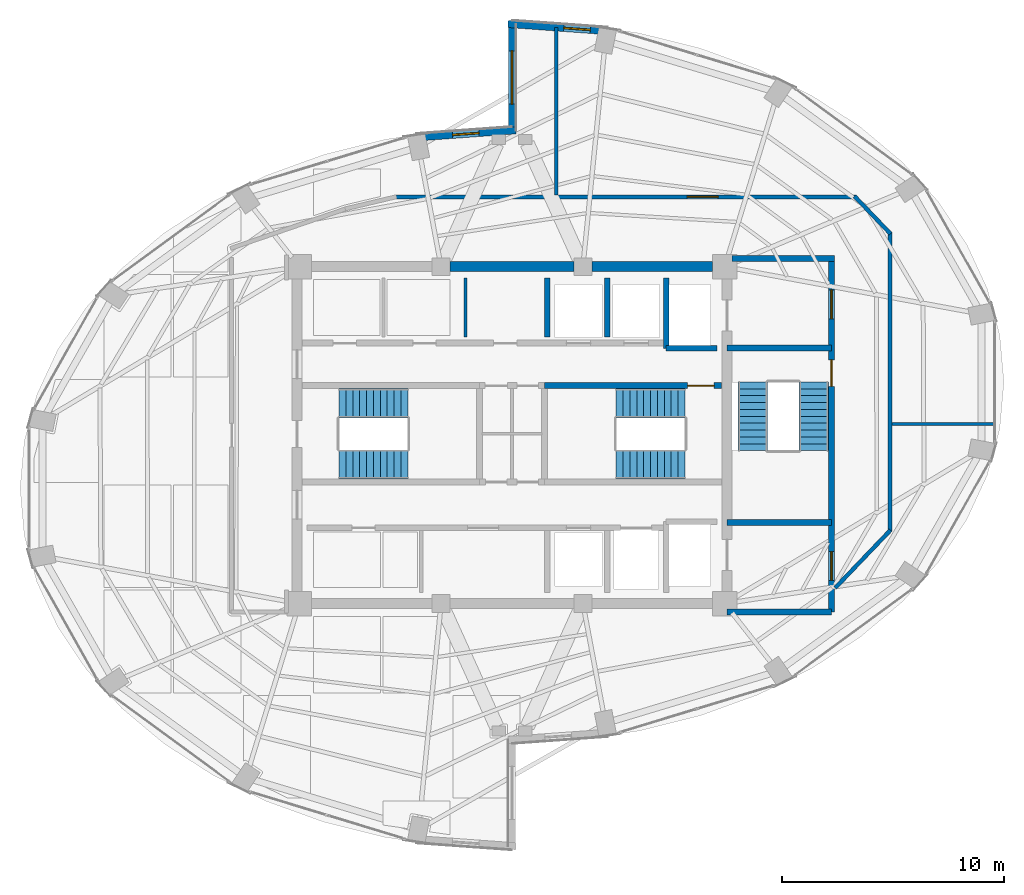
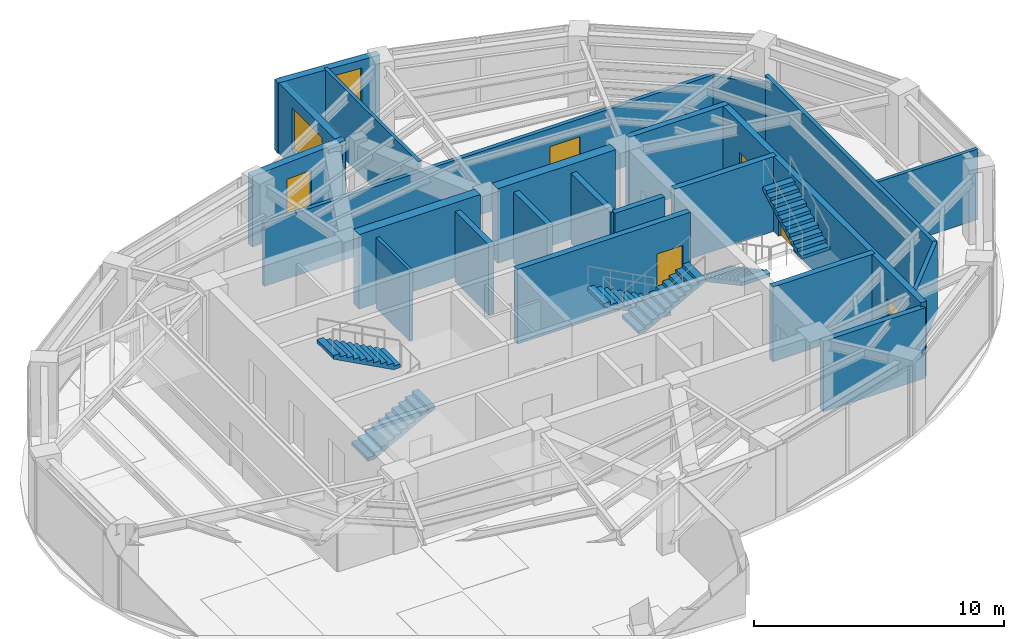
# One storey, part 20 of 22: 22 walls, 6 stair flights, 5 doors, 3 windows, 8 openings, 3 elements without a shape of their own.
"""IFC4 building model written with IfcOpenShell, lengths in metres."""

from ifc_helpers import new_model, si_unit, direction, frame, frame_2d, origin, place, context, subcontext, project, spatial, polyline, rectangle, outline, extrude, material, layer, layer_set, type_object, element, fill, aggregate, save


model = new_model("IFC4")

# Units and contexts
model_context = context("Model", 3, precision=1e-05, world=origin(), true_north=direction((0.0, 1.0)))
body_context = subcontext(model_context, "Body", "Model", "MODEL_VIEW")
ifc_project = project(units=[si_unit("LENGTHUNIT", "METRE"), si_unit("AREAUNIT", "SQUARE_METRE"), si_unit("VOLUMEUNIT", "CUBIC_METRE"), si_unit("PLANEANGLEUNIT", "RADIAN"), si_unit("MASSUNIT", "GRAM", prefix="KILO")], contexts=[model_context])

# Site, building, storey
site_placement = place(None, origin())
site = spatial("IfcSite", under=ifc_project, at=site_placement, CompositionType="ELEMENT")
building_placement = place(site_placement, origin())
building = spatial("IfcBuilding", under=site, at=building_placement, Name="Lazwardi Medical Tower", CompositionType="ELEMENT")
storey_placement = place(building_placement, frame((0.0, 0.0, 258.672119140625)))
storey = spatial("IfcBuildingStorey", under=building, at=storey_placement, Name="L67", CompositionType="ELEMENT", Elevation=258.672119140625)

# Wall, opening, door
ifc_material_1 = material(Name="Fire-rated gypsum board on steel stud", Category="steel")
ifc_layer_1 = layer(ifc_material_1, 0.179931640625)
ifc_layer_set_1 = layer_set([ifc_layer_1], Name="Fire-rated gypsum board on steel stud")
wall_type_1 = type_object("IfcWallType", Name="WL-COR-180", PredefinedType="PARTITIONING", material=ifc_layer_set_1)
wall_1_placement = place(storey_placement, frame((30.709716796875, 38.75, 0.0), z_axis=(0.0, 0.0, 1.0), x_axis=(1.0, 0.0, 0.0)))
wall_1 = element("IfcWall", 1, at=wall_1_placement, inside=storey, type_object=wall_type_1, Name="L67 Corridor partition 3", PredefinedType="PARTITIONING", context=body_context, shape_type="SweptSolid", body=[
    extrude(rectangle(XDim=20.8154296875, YDim=0.179931640625, at=frame_2d((10.40771484375, 0.0))), origin(), (0.0, 0.0, 1.0), 3.072998046875),
])
opening_1_placement = place(wall_1_placement, frame((13.19384765625, 0.0, 0.0)))
opening_1 = element("IfcOpeningElement", 2, at=opening_1_placement, cuts=wall_1, Name="Opening D-L67-015", PredefinedType="OPENING", context=body_context, shape_type="SweptSolid", body=[
    extrude(rectangle(XDim=1.39990234375, YDim=2.199951171875, at=frame_2d((0.699951171875, 1.10009765625))), frame((0.0, 0.099853515625, 0.0), z_axis=(0.0, -1.0, 0.0), x_axis=(1.0, 0.0, 0.0)), (0.0, 0.0, 1.0), 0.199951171875),
])
ifc_material_2 = material(Name="Anti-microbial laminate hospital leaf")
door_type_1 = type_object("IfcDoorType", Name="DR-BED-1400", OperationType="NOTDEFINED", PredefinedType="DOOR", material=ifc_material_2)
door_1_placement = place(opening_1_placement, origin())
door_1 = element("IfcDoor", 3, at=door_1_placement, inside=storey, type_object=door_type_1, Name="L67 Patient Day Lounge Door 02", OperationType="SINGLE_SWING_RIGHT", OverallHeight=2.199951171875, OverallWidth=1.39990234375, PredefinedType="DOOR", context=body_context, shape_type="SweptSolid", body=[
    extrude(rectangle(XDim=1.39990234375, YDim=2.199951171875, at=frame_2d((0.699951171875, 1.10009765625))), frame((0.0, 0.02490234375, 0.0), z_axis=(0.0, -1.0, 0.0), x_axis=(1.0, 0.0, 0.0)), (0.0, 0.0, 1.0), 0.050048828125),
])
fill(opening_1, door_1)

# Walls
wall_2_placement = place(storey_placement, frame((51.45751953125, 38.77880859375, 0.0), z_axis=(0.0, 0.0, 1.0), x_axis=(0.691359830363, -0.722510612352, 0.0)))
element("IfcWall", 4, at=wall_2_placement, inside=storey, type_object=wall_type_1, Name="L67 Corridor partition 4", PredefinedType="PARTITIONING", context=body_context, shape_type="SweptSolid", body=[
    extrude(rectangle(XDim=2.34326171875, YDim=0.179931640625, at=frame_2d((1.171630859375, 0.0))), origin(), (0.0, 0.0, 1.0), 3.032958984375),
])
wall_3_placement = place(storey_placement, frame((53.050048828125, 37.154541015625, 0.0), z_axis=(0.0, 0.0, 1.0), x_axis=(0.0, -1.0, 0.0)))
element("IfcWall", 5, at=wall_3_placement, inside=storey, type_object=wall_type_1, Name="L67 Corridor partition 5", PredefinedType="PARTITIONING", context=body_context, shape_type="SweptSolid", body=[
    extrude(rectangle(XDim=13.509033203125, YDim=0.179931640625, at=frame_2d((6.75439453125, 0.0))), origin(), (0.0, 0.0, 1.0), 3.447998046875),
])
wall_4_placement = place(storey_placement, frame((53.07763671875, 23.71435546875, 0.0), z_axis=(0.0, 0.0, 1.0), x_axis=(-0.691353379446, -0.722516785085, 0.0)))
element("IfcWall", 6, at=wall_4_placement, inside=storey, type_object=wall_type_1, Name="L67 Corridor partition 6", PredefinedType="PARTITIONING", context=body_context, shape_type="SweptSolid", body=[
    extrude(rectangle(XDim=3.603759765625, YDim=0.179931640625, at=frame_2d((1.8017578125, 0.0))), origin(), (0.0, 0.0, 1.0), 3.447998046875),
])
ifc_material_3 = material(Name="Concrete C60/75", Category="concrete")
ifc_layer_2 = layer(ifc_material_3, 0.449951171875)
ifc_layer_set_2 = layer_set([ifc_layer_2], Name="Concrete C60/75")
wall_type_2 = type_object("IfcWallType", Name="WL-CORE-450", PredefinedType="SHEAR", material=ifc_layer_set_2)
wall_5_placement = place(storey_placement, frame((33.199951171875, 35.60009765625, 0.0), z_axis=(0.0, 0.0, 1.0), x_axis=(1.0, 0.0, 0.0)))
element("IfcWall", 7, at=wall_5_placement, inside=storey, type_object=wall_type_2, Name="Core wall CW-S4 N2 L67", PredefinedType="SHEAR", context=body_context, shape_type="SweptSolid", body=[
    extrude(rectangle(XDim=5.60009765625, YDim=0.449951171875, at=frame_2d((2.800048828125, 0.0))), origin(), (0.0, 0.0, 1.0), 3.64794921875),
])
wall_6_placement = place(storey_placement, frame((39.60009765625, 35.60009765625, 0.0), z_axis=(0.0, 0.0, 1.0), x_axis=(1.0, 0.0, 0.0)))
element("IfcWall", 8, at=wall_6_placement, inside=storey, type_object=wall_type_2, Name="Core wall CW-S4 N3 L67", PredefinedType="SHEAR", context=body_context, shape_type="SweptSolid", body=[
    extrude(rectangle(XDim=5.449951171875, YDim=0.449951171875, at=frame_2d((2.72509765625, 0.0))), origin(), (0.0, 0.0, 1.0), 3.64794921875),
])

# Wall, opening, window
ifc_material_4 = material(Name="Precast concrete C45/55", Category="concrete")
ifc_layer_3 = layer(ifc_material_4, 0.320068359375)
ifc_layer_set_3 = layer_set([ifc_layer_3], Name="Precast concrete C45/55")
wall_type_3 = type_object("IfcWallType", Name="WL-IWAN-320", PredefinedType="SOLIDWALL", material=ifc_layer_set_3)
wall_7_placement = place(storey_placement, frame((40.349609375, 46.226318359375, 0.0), z_axis=(0.0, 0.0, 1.0), x_axis=(-0.997409061056, 0.071938619141, 0.0)))
wall_7 = element("IfcWall", 9, at=wall_7_placement, inside=storey, type_object=wall_type_3, Name="L67 Iwan Portal Return Wall NE_ret", PredefinedType="SOLIDWALL", context=body_context, shape_type="SweptSolid", body=[
    extrude(rectangle(XDim=4.540771484375, YDim=0.320068359375, at=frame_2d((2.2705078125, 0.0))), origin(), (0.0, 0.0, 1.0), 3.447998046875),
])
opening_2_placement = place(wall_7_placement, frame((0.814697265625, 0.0, 0.85009765625)))
opening_2 = element("IfcOpeningElement", 10, at=opening_2_placement, cuts=wall_7, Name="Opening WN-01", PredefinedType="OPENING", context=body_context, shape_type="SweptSolid", body=[
    extrude(rectangle(XDim=1.199951171875, YDim=2.199951171875, at=frame_2d((0.60009765625, 1.10009765625))), frame((0.0, 0.169921875, 0.0), z_axis=(0.0, -1.0, 0.0), x_axis=(1.0, 0.0, 0.0)), (0.0, 0.0, 1.0), 0.340087890625),
])
ifc_material_5 = material(Name="Low-e bronze solar control double glazing", Category="glass")
window_type_1 = type_object("IfcWindowType", Name="WIN-IW-1200", PartitioningType="SINGLE_PANEL", PredefinedType="WINDOW", material=ifc_material_5)
window_1_placement = place(opening_2_placement, origin())
window_1 = element("IfcWindow", 11, at=window_1_placement, inside=storey, type_object=window_type_1, Name="L67 Iwan Slot Window NE_ret", OverallHeight=2.199951171875, OverallWidth=1.199951171875, PartitioningType="SINGLE_PANEL", PredefinedType="WINDOW", context=body_context, shape_type="SweptSolid", body=[
    extrude(rectangle(XDim=1.199951171875, YDim=2.199951171875, at=frame_2d((0.60009765625, 1.10009765625))), frame((0.0, 0.030029296875, 0.0), z_axis=(0.0, -1.0, 0.0), x_axis=(1.0, 0.0, 0.0)), (0.0, 0.0, 1.0), 0.06005859375),
])
fill(opening_2, window_1)

wall_8_placement = place(storey_placement, frame((36.17919921875, 41.7529296875, 0.0), z_axis=(0.0, 0.0, 1.0), x_axis=(-0.997408782787, -0.071942477163, 0.0)))
wall_8 = element("IfcWall", 12, at=wall_8_placement, inside=storey, type_object=wall_type_3, Name="L67 Iwan Portal Return Wall NW_ret", PredefinedType="SOLIDWALL", context=body_context, shape_type="SweptSolid", body=[
    extrude(rectangle(XDim=4.54052734375, YDim=0.320068359375, at=frame_2d((2.270263671875, 0.0))), origin(), (0.0, 0.0, 1.0), 3.447998046875),
])
opening_3_placement = place(wall_8_placement, frame((1.67041015625, 0.0, 0.85009765625)))
opening_3 = element("IfcOpeningElement", 13, at=opening_3_placement, cuts=wall_8, Name="Opening WN-04", PredefinedType="OPENING", context=body_context, shape_type="SweptSolid", body=[
    extrude(rectangle(XDim=1.199951171875, YDim=1.800048828125, at=frame_2d((0.60009765625, 0.89990234375))), frame((0.0, 0.169921875, 0.0), z_axis=(0.0, -1.0, 0.0), x_axis=(1.0, 0.0, 0.0)), (0.0, 0.0, 1.0), 0.340087890625),
])
window_type_2 = type_object("IfcWindowType", Name="WIN-DRUM-1200", PartitioningType="SINGLE_PANEL", PredefinedType="WINDOW", material=ifc_material_5)
window_2_placement = place(opening_3_placement, origin())
window_2 = element("IfcWindow", 14, at=window_2_placement, inside=storey, type_object=window_type_2, Name="L67 Iwan Slot Window NW_ret", OverallHeight=1.800048828125, OverallWidth=1.199951171875, PartitioningType="SINGLE_PANEL", PredefinedType="WINDOW", context=body_context, shape_type="SweptSolid", body=[
    extrude(rectangle(XDim=1.199951171875, YDim=1.800048828125, at=frame_2d((0.60009765625, 0.89990234375))), frame((0.0, 0.030029296875, 0.0), z_axis=(0.0, -1.0, 0.0), x_axis=(1.0, 0.0, 0.0)), (0.0, 0.0, 1.0), 0.06005859375),
])
fill(opening_3, window_2)

wall_9_placement = place(storey_placement, frame((36.0, 46.699951171875, 0.0), z_axis=(0.0, 0.0, 1.0), x_axis=(0.0, -1.0, 0.0)))
wall_9 = element("IfcWall", 15, at=wall_9_placement, inside=storey, type_object=wall_type_3, Name="L67 Turquoise Tilework Iwan Seam Wall N_seam", PredefinedType="SOLIDWALL", context=body_context, shape_type="SweptSolid", body=[
    extrude(rectangle(XDim=5.119873046875, YDim=0.320068359375, at=frame_2d((2.56005859375, 0.0))), origin(), (0.0, 0.0, 1.0), 3.447998046875),
])
opening_4_placement = place(wall_9_placement, frame((1.360107421875, 0.0, 0.840087890625)))
opening_4 = element("IfcOpeningElement", 16, at=opening_4_placement, cuts=wall_9, Name="Opening WN-02", PredefinedType="OPENING", context=body_context, shape_type="SweptSolid", body=[
    extrude(rectangle(XDim=2.39990234375, YDim=2.0400390625, at=frame_2d((1.199951171875, 1.02001953125))), frame((0.0, 0.169921875, 0.0), z_axis=(0.0, -1.0, 0.0), x_axis=(1.0, 0.0, 0.0)), (0.0, 0.0, 1.0), 0.340087890625),
])
window_type_3 = type_object("IfcWindowType", Name="WIN-IW-2400", PartitioningType="SINGLE_PANEL", PredefinedType="WINDOW", material=ifc_material_5)
window_3_placement = place(opening_4_placement, origin())
window_3 = element("IfcWindow", 17, at=window_3_placement, inside=storey, type_object=window_type_3, Name="L67 Iwan Seam Window N_seam", OverallHeight=2.0400390625, OverallWidth=2.39990234375, PartitioningType="SINGLE_PANEL", PredefinedType="WINDOW", context=body_context, shape_type="SweptSolid", body=[
    extrude(rectangle(XDim=2.39990234375, YDim=2.0400390625, at=frame_2d((1.199951171875, 1.02001953125))), frame((0.0, 0.030029296875, 0.0), z_axis=(0.0, -1.0, 0.0), x_axis=(1.0, 0.0, 0.0)), (0.0, 0.0, 1.0), 0.06005859375),
])
fill(opening_4, window_3)

# Walls
ifc_material_6 = material(Name="Autoclaved aerated concrete blockwork", Category="masonry")
ifc_layer_4 = layer(ifc_material_6, 0.25)
ifc_layer_set_4 = layer_set([ifc_layer_4], Name="Autoclaved aerated concrete blockwork")
wall_type_4 = type_object("IfcWallType", Name="WL-SHAFT-250", PredefinedType="SOLIDWALL", material=ifc_layer_set_4)
wall_10_placement = place(storey_placement, frame((42.949951171875, 31.919921875, 0.0), z_axis=(0.0, 0.0, 1.0), x_axis=(0.0, 1.0, 0.0)))
element("IfcWall", 18, at=wall_10_placement, inside=storey, type_object=wall_type_4, Name="L67 FL-01 West shaft wall", PredefinedType="SOLIDWALL", context=body_context, shape_type="SweptSolid", body=[
    extrude(rectangle(XDim=3.18017578125, YDim=0.25, at=frame_2d((1.590087890625, 0.0))), origin(), (0.0, 0.0, 1.0), 3.447998046875),
])
wall_11_placement = place(storey_placement, frame((42.949951171875, 31.919921875, 0.0), z_axis=(0.0, 0.0, 1.0), x_axis=(1.0, 0.0, 0.0)))
element("IfcWall", 19, at=wall_11_placement, inside=storey, type_object=wall_type_4, Name="L67 FL-01 South shaft wall", PredefinedType="SOLIDWALL", context=body_context, shape_type="SweptSolid", body=[
    extrude(rectangle(XDim=2.300048828125, YDim=0.25, at=frame_2d((1.14990234375, 0.0))), origin(), (0.0, 0.0, 1.0), 3.447998046875),
])
for number, where, z_axis, x_axis, name in (
    (20, (37.60009765625, 32.419921875, 0.0), (0.0, 0.0, 1.0), (0.0, 1.0, 0.0), "L67 North hoistway divider"),
    (21, (40.300048828125, 32.419921875, 0.0), (0.0, 0.0, 1.0), (0.0, 1.0, 0.0), "L67 North hoistway divider"),
):
    element("IfcWall", number, at=place(storey_placement, frame(where, z_axis=z_axis, x_axis=x_axis)), inside=storey, type_object=wall_type_4, Name=name, PredefinedType="SOLIDWALL", context=body_context, shape_type="SweptSolid", body=[
        extrude(rectangle(XDim=2.68017578125, YDim=0.25, at=frame_2d((1.340087890625, 0.0))), origin(), (0.0, 0.0, 1.0), 3.447998046875),
    ])
wall_12_placement = place(storey_placement, frame((45.699951171875, 20.02001953125, 0.0), z_axis=(0.0, 0.0, 1.0), x_axis=(1.0, 0.0, 0.0)))
element("IfcWall", 22, at=wall_12_placement, inside=storey, type_object=wall_type_4, Name="L67 FFL-S South wall", PredefinedType="SOLIDWALL", context=body_context, shape_type="SweptSolid", body=[
    extrude(rectangle(XDim=4.715087890625, YDim=0.25, at=frame_2d((2.357421875, 0.0))), origin(), (0.0, 0.0, 1.0), 3.447998046875),
])

# Wall, opening, door
ifc_material_7 = material(Name="Concrete C50/60", Category="concrete")
ifc_layer_5 = layer(ifc_material_7, 0.27001953125)
ifc_layer_set_5 = layer_set([ifc_layer_5], Name="Concrete C50/60")
wall_type_5 = type_object("IfcWallType", Name="WL-STR-250", PredefinedType="SHEAR", material=ifc_layer_set_5)
wall_13_placement = place(storey_placement, frame((37.465087890625, 30.235107421875, 0.0), z_axis=(0.0, 0.0, 1.0), x_axis=(1.0, 0.0, 0.0)))
wall_13 = element("IfcWall", 23, at=wall_13_placement, inside=storey, type_object=wall_type_5, Name="L67 ST2 North shear shaft wall SW-S1", PredefinedType="SHEAR", context=body_context, shape_type="SweptSolid", body=[
    extrude(rectangle(XDim=7.98486328125, YDim=0.27001953125, at=frame_2d((3.992431640625, 0.0))), origin(), (0.0, 0.0, 1.0), 3.64794921875),
])
opening_5_placement = place(wall_13_placement, frame((6.455078125, 0.0, 0.0)))
opening_5 = element("IfcOpeningElement", 24, at=opening_5_placement, cuts=wall_13, Name="Opening D-L67-017", PredefinedType="OPENING", context=body_context, shape_type="SweptSolid", body=[
    extrude(rectangle(XDim=1.199951171875, YDim=2.14990234375, at=frame_2d((0.60009765625, 1.074951171875))), frame((0.0, 0.14501953125, 0.0), z_axis=(0.0, -1.0, 0.0), x_axis=(1.0, 0.0, 0.0)), (0.0, 0.0, 1.0), 0.2900390625),
])
ifc_material_8 = material(Name="Fire-rated steel leaf and frame", Category="steel")
door_type_2 = type_object("IfcDoorType", Name="DR-STR-1200", OperationType="NOTDEFINED", PredefinedType="DOOR", material=ifc_material_8)
door_2_placement = place(opening_5_placement, origin())
door_2 = element("IfcDoor", 25, at=door_2_placement, inside=storey, type_object=door_type_2, Name="L67 Exit Stair ST2 Door", OperationType="SINGLE_SWING_RIGHT", OverallHeight=2.14990234375, OverallWidth=1.199951171875, PredefinedType="DOOR", context=body_context, shape_type="SweptSolid", body=[
    extrude(rectangle(XDim=1.199951171875, YDim=2.14990234375, at=frame_2d((0.60009765625, 1.074951171875))), frame((0.0, 0.02490234375, 0.0), z_axis=(0.0, -1.0, 0.0), x_axis=(1.0, 0.0, 0.0)), (0.0, 0.0, 1.0), 0.050048828125),
])
fill(opening_5, door_2)

# Wall, openings, doors
wall_14_placement = place(storey_placement, frame((50.4150390625, 35.844970703125, 0.0), z_axis=(0.0, 0.0, 1.0), x_axis=(0.0, -1.0, 0.0)))
wall_14 = element("IfcWall", 26, at=wall_14_placement, inside=storey, type_object=wall_type_5, Name="L67 East ST3 & FFL shear wall SW-S1", PredefinedType="SHEAR", context=body_context, shape_type="SweptSolid", body=[
    extrude(rectangle(XDim=15.824951171875, YDim=0.27001953125, at=frame_2d((7.91259765625, 0.0))), origin(), (0.0, 0.0, 1.0), 3.64794921875),
])
opening_6_placement = place(wall_14_placement, frame((4.445068359375, 0.0, 0.0)))
opening_6 = element("IfcOpeningElement", 27, at=opening_6_placement, cuts=wall_14, Name="Opening D-L67-018", PredefinedType="OPENING", context=body_context, shape_type="SweptSolid", body=[
    extrude(rectangle(XDim=1.199951171875, YDim=2.14990234375, at=frame_2d((0.60009765625, 1.074951171875))), frame((0.0, 0.14501953125, 0.0), z_axis=(0.0, -1.0, 0.0), x_axis=(1.0, 0.0, 0.0)), (0.0, 0.0, 1.0), 0.2900390625),
])
opening_7_placement = place(wall_14_placement, frame((1.294921875, 0.0, 0.0)))
opening_7 = element("IfcOpeningElement", 28, at=opening_7_placement, cuts=wall_14, Name="Opening D-L67-010", PredefinedType="OPENING", context=body_context, shape_type="SweptSolid", body=[
    extrude(rectangle(XDim=1.300048828125, YDim=2.199951171875, at=frame_2d((0.64990234375, 1.10009765625))), frame((0.0, 0.14501953125, 0.0), z_axis=(0.0, -1.0, 0.0), x_axis=(1.0, 0.0, 0.0)), (0.0, 0.0, 1.0), 0.2900390625),
])
opening_8_placement = place(wall_14_placement, frame((13.094970703125, 0.0, 0.0)))
opening_8 = element("IfcOpeningElement", 29, at=opening_8_placement, cuts=wall_14, Name="Opening D-L67-011", PredefinedType="OPENING", context=body_context, shape_type="SweptSolid", body=[
    extrude(rectangle(XDim=1.300048828125, YDim=2.199951171875, at=frame_2d((0.64990234375, 1.10009765625))), frame((0.0, 0.14501953125, 0.0), z_axis=(0.0, -1.0, 0.0), x_axis=(1.0, 0.0, 0.0)), (0.0, 0.0, 1.0), 0.2900390625),
])
door_type_3 = type_object("IfcDoorType", Name="DR-FFL-1300", OperationType="NOTDEFINED", PredefinedType="DOOR", material=ifc_material_8)
door_3_placement = place(opening_7_placement, origin())
door_3 = element("IfcDoor", 30, at=door_3_placement, inside=storey, type_object=door_type_3, Name="L67 Fire-Fighting Lobby North Door", OperationType="SINGLE_SWING_LEFT", OverallHeight=2.199951171875, OverallWidth=1.300048828125, PredefinedType="DOOR", context=body_context, shape_type="SweptSolid", body=[
    extrude(rectangle(XDim=1.300048828125, YDim=2.199951171875, at=frame_2d((0.64990234375, 1.10009765625))), frame((0.0, 0.02490234375, 0.0), z_axis=(0.0, -1.0, 0.0), x_axis=(1.0, 0.0, 0.0)), (0.0, 0.0, 1.0), 0.050048828125),
])
fill(opening_7, door_3)
door_4_placement = place(opening_8_placement, origin())
door_4 = element("IfcDoor", 31, at=door_4_placement, inside=storey, type_object=door_type_3, Name="L67 Fire-Fighting Lobby South Door", OperationType="SINGLE_SWING_RIGHT", OverallHeight=2.199951171875, OverallWidth=1.300048828125, PredefinedType="DOOR", context=body_context, shape_type="SweptSolid", body=[
    extrude(rectangle(XDim=1.300048828125, YDim=2.199951171875, at=frame_2d((0.64990234375, 1.10009765625))), frame((0.0, 0.02490234375, 0.0), z_axis=(0.0, -1.0, 0.0), x_axis=(1.0, 0.0, 0.0)), (0.0, 0.0, 1.0), 0.050048828125),
])
fill(opening_8, door_4)
door_5_placement = place(opening_6_placement, origin())
door_5 = element("IfcDoor", 32, at=door_5_placement, inside=storey, type_object=door_type_2, Name="L67 Exit Stair ST3 Door", OperationType="SINGLE_SWING_RIGHT", OverallHeight=2.14990234375, OverallWidth=1.199951171875, PredefinedType="DOOR", context=body_context, shape_type="SweptSolid", body=[
    extrude(rectangle(XDim=1.199951171875, YDim=2.14990234375, at=frame_2d((0.60009765625, 1.074951171875))), frame((0.0, 0.02490234375, 0.0), z_axis=(0.0, -1.0, 0.0), x_axis=(1.0, 0.0, 0.0)), (0.0, 0.0, 1.0), 0.050048828125),
])
fill(opening_6, door_5)

# Walls
wall_15_placement = place(storey_placement, frame((45.925048828125, 35.97998046875, 0.0), z_axis=(0.0, 0.0, 1.0), x_axis=(1.0, 0.0, 0.0)))
element("IfcWall", 33, at=wall_15_placement, inside=storey, type_object=wall_type_5, Name="L67 FFL-N North shear wall SW-S1", PredefinedType="SHEAR", context=body_context, shape_type="SweptSolid", body=[
    extrude(rectangle(XDim=4.625, YDim=0.27001953125, at=frame_2d((2.3125, 0.0))), origin(), (0.0, 0.0, 1.0), 3.64794921875),
])
for number, where, z_axis, x_axis, name in (
    (34, (45.699951171875, 31.93505859375, 0.0), (0.0, 0.0, 1.0), (1.0, 0.0, 0.0), "L67 ST3 North shear shaft wall SW-S1"),
    (35, (45.699951171875, 24.06494140625, 0.0), (0.0, 0.0, 1.0), (1.0, 0.0, 0.0), "L67 ST3 South shear shaft wall SW-S1"),
):
    element("IfcWall", number, at=place(storey_placement, frame(where, z_axis=z_axis, x_axis=x_axis)), inside=storey, type_object=wall_type_5, Name=name, PredefinedType="SHEAR", context=body_context, shape_type="SweptSolid", body=[
        extrude(rectangle(XDim=4.715087890625, YDim=0.27001953125, at=frame_2d((2.357421875, 0.0))), origin(), (0.0, 0.0, 1.0), 3.64794921875),
    ])
ifc_material_9 = material(Name="Acoustic gypsum board partition")
ifc_layer_6 = layer(ifc_material_9, 0.14990234375)
ifc_layer_set_6 = layer_set([ifc_layer_6], Name="Acoustic gypsum board partition")
wall_type_6 = type_object("IfcWallType", Name="WL-WRD-150", PredefinedType="PARTITIONING", material=ifc_layer_set_6)
wall_16_placement = place(storey_placement, frame((33.89990234375, 32.419921875, 0.0), z_axis=(0.0, 0.0, 1.0), x_axis=(0.0, 1.0, 0.0)))
element("IfcWall", 36, at=wall_16_placement, inside=storey, type_object=wall_type_6, Name="L67 Freed bay2 N split B", PredefinedType="PARTITIONING", context=body_context, shape_type="SweptSolid", body=[
    extrude(rectangle(XDim=2.68017578125, YDim=0.14990234375, at=frame_2d((1.340087890625, 0.0))), origin(), (0.0, 0.0, 1.0), 3.447998046875),
])
wall_17_placement = place(storey_placement, frame((53.139892578125, 28.5, 0.0), z_axis=(0.0, 0.0, 1.0), x_axis=(1.0, 0.0, 0.0)))
element("IfcWall", 37, at=wall_17_placement, inside=storey, type_object=wall_type_6, Name="L67 Room partition 1", PredefinedType="PARTITIONING", context=body_context, shape_type="SweptSolid", body=[
    extrude(rectangle(XDim=4.6318359375, YDim=0.14990234375, at=frame_2d((2.31591796875, 0.0))), origin(), (0.0, 0.0, 1.0), 3.447998046875),
])
wall_18_placement = place(storey_placement, frame((38.0, 38.840087890625, 0.0), z_axis=(0.0, 0.0, 1.0), x_axis=(0.0, 1.0, 0.0)))
element("IfcWall", 38, at=wall_18_placement, inside=storey, type_object=wall_type_6, Name="L67 Room partition 2", PredefinedType="PARTITIONING", context=body_context, shape_type="SweptSolid", body=[
    extrude(rectangle(XDim=7.543212890625, YDim=0.14990234375, at=frame_2d((3.771484375, 0.0))), origin(), (0.0, 0.0, 1.0), 3.447998046875),
])

# Stair, stair flights
ifc_material_10 = material(Name="Concrete C45/55", Category="concrete")
stair_type = type_object("IfcStairType", Name="STR-WRD", PredefinedType="HALF_TURN_STAIR", material=ifc_material_10)
stair_1_placement = place(storey_placement, origin())
stair_1 = element("IfcStair", 39, at=stair_1_placement, inside=storey, type_object=stair_type, Name="L67 Protected Exit Stair ST1", PredefinedType="HALF_TURN_STAIR")
stair_flight_type = type_object("IfcStairFlightType", Name="FLT-WRD", PredefinedType="STRAIGHT", material=ifc_material_10)
stair_flight_1_placement = place(storey_placement, frame((28.199951171875, 26.679931640625, 0.0), z_axis=(0.0, 0.0, 1.0), x_axis=(1.0, 0.0, 0.0)))
stair_flight_1 = element("IfcStairFlight", 40, at=stair_flight_1_placement, type_object=stair_flight_type, Name="ST1 flight 1", NumberOfRisers=11, NumberOfTreads=10, PredefinedType="STRAIGHT", RiserHeight=0.165818182, TreadLength=0.31, context=body_context, shape_type="SweptSolid", body=[
    extrude(outline(polyline([(0.0, 0.0), (0.0, 0.165771484375), (0.31005859375, 0.165771484375), (0.31005859375, 0.33154296875), (0.6201171875, 0.33154296875), (0.6201171875, 0.49755859375), (0.929931640625, 0.49755859375), (0.929931640625, 0.663330078125), (1.239990234375, 0.663330078125), (1.239990234375, 0.8291015625), (1.550048828125, 0.8291015625), (1.550048828125, 0.994873046875), (1.860107421875, 0.994873046875), (1.860107421875, 1.16064453125), (2.169921875, 1.16064453125), (2.169921875, 1.32666015625), (2.47998046875, 1.32666015625), (2.47998046875, 1.492431640625), (2.7900390625, 1.492431640625), (2.7900390625, 1.658203125), (3.10009765625, 1.658203125), (3.10009765625, 1.823974609375), (3.10009765625, 1.48828125), (0.31787109375, 0.0), (0.0, 0.0)])), frame((0.0, 0.66015625, 0.0), z_axis=(0.0, -1.0, 0.0), x_axis=(1.0, 0.0, 0.0)), (0.0, 0.0, 1.0), 1.320068359375),
])
stair_flight_2_placement = place(storey_placement, frame((31.300048828125, 29.43994140625, 1.823974609375), z_axis=(0.0, 0.0, 1.0), x_axis=(-1.0, 0.0, 0.0)))
stair_flight_2 = element("IfcStairFlight", 41, at=stair_flight_2_placement, type_object=stair_flight_type, Name="ST1 flight 2", NumberOfRisers=11, NumberOfTreads=10, PredefinedType="STRAIGHT", RiserHeight=0.165818182, TreadLength=0.31, context=body_context, shape_type="SweptSolid", body=[
    extrude(outline(polyline([(0.0, 0.0), (0.0, 0.165771484375), (0.31005859375, 0.165771484375), (0.31005859375, 0.33154296875), (0.6201171875, 0.33154296875), (0.6201171875, 0.49755859375), (0.929931640625, 0.49755859375), (0.929931640625, 0.663330078125), (1.239990234375, 0.663330078125), (1.239990234375, 0.8291015625), (1.550048828125, 0.8291015625), (1.550048828125, 0.994873046875), (1.860107421875, 0.994873046875), (1.860107421875, 1.16064453125), (2.169921875, 1.16064453125), (2.169921875, 1.32666015625), (2.47998046875, 1.32666015625), (2.47998046875, 1.492431640625), (2.7900390625, 1.492431640625), (2.7900390625, 1.658203125), (3.10009765625, 1.658203125), (3.10009765625, 1.823974609375), (3.10009765625, 1.48828125), (0.31787109375, 0.0), (0.0, 0.0)])), frame((0.0, 0.66015625, 0.0), z_axis=(0.0, -1.0, 0.0), x_axis=(1.0, 0.0, 0.0)), (0.0, 0.0, 1.0), 1.320068359375),
])
aggregate(stair_1, [stair_flight_1, stair_flight_2])

stair_2_placement = place(storey_placement, origin())
stair_2 = element("IfcStair", 42, at=stair_2_placement, inside=storey, type_object=stair_type, Name="L67 Protected Exit Stair ST2", PredefinedType="HALF_TURN_STAIR")
stair_flight_3_placement = place(storey_placement, frame((43.800048828125, 29.43994140625, 0.0), z_axis=(0.0, 0.0, 1.0), x_axis=(-1.0, 0.0, 0.0)))
stair_flight_3 = element("IfcStairFlight", 43, at=stair_flight_3_placement, type_object=stair_flight_type, Name="ST2 flight 1", NumberOfRisers=11, NumberOfTreads=10, PredefinedType="STRAIGHT", RiserHeight=0.165818182, TreadLength=0.31, context=body_context, shape_type="SweptSolid", body=[
    extrude(outline(polyline([(0.0, 0.0), (0.0, 0.165771484375), (0.31005859375, 0.165771484375), (0.31005859375, 0.33154296875), (0.6201171875, 0.33154296875), (0.6201171875, 0.49755859375), (0.929931640625, 0.49755859375), (0.929931640625, 0.663330078125), (1.239990234375, 0.663330078125), (1.239990234375, 0.8291015625), (1.550048828125, 0.8291015625), (1.550048828125, 0.994873046875), (1.860107421875, 0.994873046875), (1.860107421875, 1.16064453125), (2.169921875, 1.16064453125), (2.169921875, 1.32666015625), (2.47998046875, 1.32666015625), (2.47998046875, 1.492431640625), (2.7900390625, 1.492431640625), (2.7900390625, 1.658203125), (3.10009765625, 1.658203125), (3.10009765625, 1.823974609375), (3.10009765625, 1.48828125), (0.31787109375, 0.0), (0.0, 0.0)])), frame((0.0, 0.66015625, 0.0), z_axis=(0.0, -1.0, 0.0), x_axis=(1.0, 0.0, 0.0)), (0.0, 0.0, 1.0), 1.320068359375),
])
stair_flight_4_placement = place(storey_placement, frame((40.699951171875, 26.679931640625, 1.823974609375), z_axis=(0.0, 0.0, 1.0), x_axis=(1.0, 0.0, 0.0)))
stair_flight_4 = element("IfcStairFlight", 44, at=stair_flight_4_placement, type_object=stair_flight_type, Name="ST2 flight 2", NumberOfRisers=11, NumberOfTreads=10, PredefinedType="STRAIGHT", RiserHeight=0.165818182, TreadLength=0.31, context=body_context, shape_type="SweptSolid", body=[
    extrude(outline(polyline([(0.0, 0.0), (0.0, 0.165771484375), (0.31005859375, 0.165771484375), (0.31005859375, 0.33154296875), (0.6201171875, 0.33154296875), (0.6201171875, 0.49755859375), (0.929931640625, 0.49755859375), (0.929931640625, 0.663330078125), (1.239990234375, 0.663330078125), (1.239990234375, 0.8291015625), (1.550048828125, 0.8291015625), (1.550048828125, 0.994873046875), (1.860107421875, 0.994873046875), (1.860107421875, 1.16064453125), (2.169921875, 1.16064453125), (2.169921875, 1.32666015625), (2.47998046875, 1.32666015625), (2.47998046875, 1.492431640625), (2.7900390625, 1.492431640625), (2.7900390625, 1.658203125), (3.10009765625, 1.658203125), (3.10009765625, 1.823974609375), (3.10009765625, 1.48828125), (0.31787109375, 0.0), (0.0, 0.0)])), frame((0.0, 0.66015625, 0.0), z_axis=(0.0, -1.0, 0.0), x_axis=(1.0, 0.0, 0.0)), (0.0, 0.0, 1.0), 1.320068359375),
])
aggregate(stair_2, [stair_flight_3, stair_flight_4])

stair_3_placement = place(storey_placement, origin())
stair_3 = element("IfcStair", 45, at=stair_3_placement, inside=storey, type_object=stair_type, Name="L67 Protected Exit Stair ST3", PredefinedType="HALF_TURN_STAIR")
stair_flight_5_placement = place(storey_placement, frame((46.860107421875, 30.39990234375, 0.0), z_axis=(0.0, 0.0, 1.0), x_axis=(0.0, -1.0, 0.0)))
stair_flight_5 = element("IfcStairFlight", 46, at=stair_flight_5_placement, type_object=stair_flight_type, Name="ST3 flight 1", NumberOfRisers=11, NumberOfTreads=10, PredefinedType="STRAIGHT", RiserHeight=0.165818182, TreadLength=0.31, context=body_context, shape_type="SweptSolid", body=[
    extrude(outline(polyline([(0.0, 0.0), (0.0, 0.165771484375), (0.31005859375, 0.165771484375), (0.31005859375, 0.33154296875), (0.6201171875, 0.33154296875), (0.6201171875, 0.49755859375), (0.929931640625, 0.49755859375), (0.929931640625, 0.663330078125), (1.239990234375, 0.663330078125), (1.239990234375, 0.8291015625), (1.550048828125, 0.8291015625), (1.550048828125, 0.994873046875), (1.860107421875, 0.994873046875), (1.860107421875, 1.16064453125), (2.169921875, 1.16064453125), (2.169921875, 1.32666015625), (2.47998046875, 1.32666015625), (2.47998046875, 1.492431640625), (2.7900390625, 1.492431640625), (2.7900390625, 1.658203125), (3.10009765625, 1.658203125), (3.10009765625, 1.823974609375), (3.10009765625, 1.48828125), (0.31787109375, 0.0), (0.0, 0.0)])), frame((0.0, 0.66015625, 0.0), z_axis=(0.0, -1.0, 0.0), x_axis=(1.0, 0.0, 0.0)), (0.0, 0.0, 1.0), 1.320068359375),
])
stair_flight_6_placement = place(storey_placement, frame((49.6201171875, 27.300048828125, 1.823974609375), z_axis=(0.0, 0.0, 1.0), x_axis=(0.0, 1.0, 0.0)))
stair_flight_6 = element("IfcStairFlight", 47, at=stair_flight_6_placement, type_object=stair_flight_type, Name="ST3 flight 2", NumberOfRisers=11, NumberOfTreads=10, PredefinedType="STRAIGHT", RiserHeight=0.165818182, TreadLength=0.31, context=body_context, shape_type="SweptSolid", body=[
    extrude(outline(polyline([(0.0, 0.0), (0.0, 0.165771484375), (0.31005859375, 0.165771484375), (0.31005859375, 0.33154296875), (0.6201171875, 0.33154296875), (0.6201171875, 0.49755859375), (0.929931640625, 0.49755859375), (0.929931640625, 0.663330078125), (1.239990234375, 0.663330078125), (1.239990234375, 0.8291015625), (1.550048828125, 0.8291015625), (1.550048828125, 0.994873046875), (1.860107421875, 0.994873046875), (1.860107421875, 1.16064453125), (2.169921875, 1.16064453125), (2.169921875, 1.32666015625), (2.47998046875, 1.32666015625), (2.47998046875, 1.492431640625), (2.7900390625, 1.492431640625), (2.7900390625, 1.658203125), (3.10009765625, 1.658203125), (3.10009765625, 1.823974609375), (3.10009765625, 1.48828125), (0.31787109375, 0.0), (0.0, 0.0)])), frame((0.0, 0.66015625, 0.0), z_axis=(0.0, -1.0, 0.0), x_axis=(1.0, 0.0, 0.0)), (0.0, 0.0, 1.0), 1.320068359375),
])
aggregate(stair_3, [stair_flight_5, stair_flight_6])

save(model, "model.ifc")
